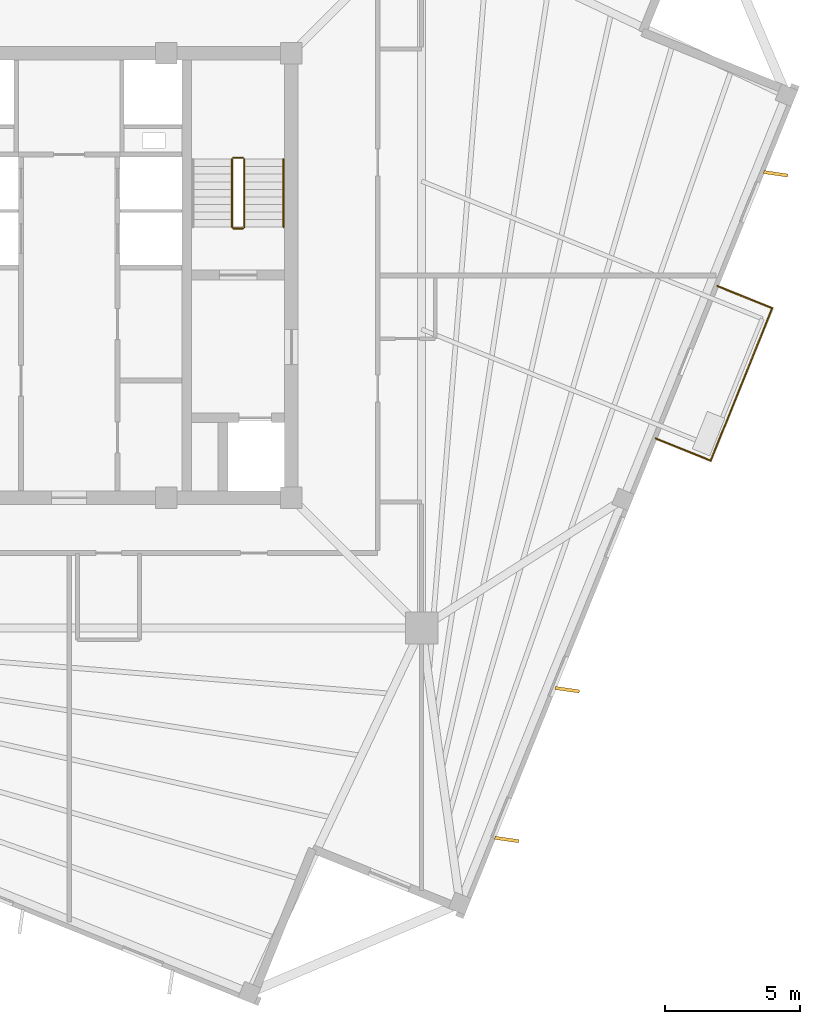
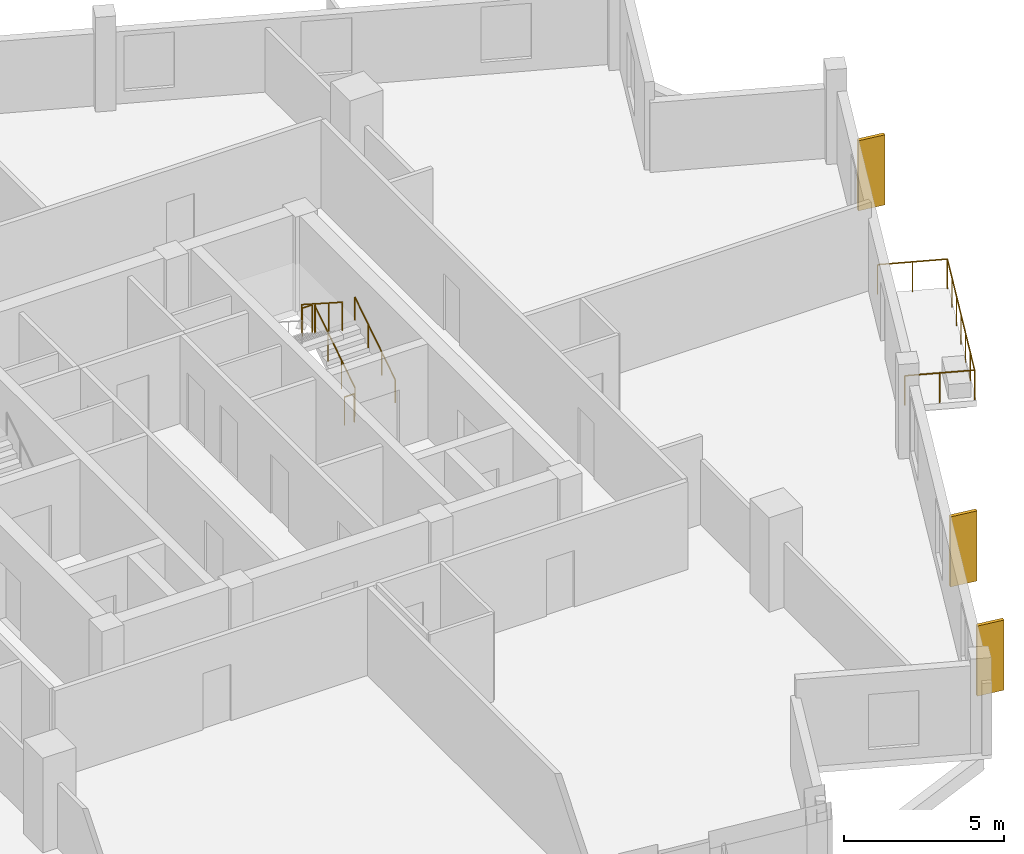
# One storey, part 7 of 8: 8 railings, 3 coverings.
"""IFC4 building model written with IfcOpenShell, lengths in metres."""

import ifcopenshell
import ifcopenshell.guid

model = None  # the IFC model being written
_history = None  # IfcOwnerHistory: only IFC2X3 demands one
_inside = {}  # id of a spatial element -> (the spatial element, [elements in it])
_under = {}  # id of a project, library or spatial element -> (it, [spatial elements below it])
_declared = {}  # id of a project -> (the project, [libraries it declares])
_typed = {}  # id of a type object -> (the type object, [elements of that type])
_made_of = {}  # id of a material, layer set ... -> (it, [elements and type objects made of it])


def new_model(schema):
    """Start an empty IFC model of exactly this schema.

    Asked for "IFC4X3", IfcOpenShell would pick the latest addendum, in which some entities
    have other attributes; the version numbers below select the first issue.
    IFC2X3 requires an IfcOwnerHistory on every rooted entity: one is made here for all.
    """
    global model, _history
    if schema == "IFC4X3":
        model = ifcopenshell.file(schema_version=(4, 3, 0, 0))
    else:
        model = ifcopenshell.file(schema=schema)
    _inside.clear()
    _under.clear()
    _declared.clear()
    _typed.clear()
    _made_of.clear()
    _history = None
    if model.schema == "IFC2X3":
        org = make("IfcOrganization", Name="unknown")
        user = make(
            "IfcPersonAndOrganization",
            ThePerson=make("IfcPerson", FamilyName="unknown"),
            TheOrganization=org,
        )
        app = make(
            "IfcApplication",
            ApplicationDeveloper=org,
            Version="unknown",
            ApplicationFullName="unknown",
            ApplicationIdentifier="unknown",
        )
        _history = make(
            "IfcOwnerHistory",
            OwningUser=user,
            OwningApplication=app,
            ChangeAction="ADDED",
            CreationDate=0,
        )
    return model


def make(cls, **values):
    """One entity of the class cls with the attributes given. An attribute that is None is left unset."""
    return model.create_entity(
        cls, **{name: value for name, value in values.items() if value is not None}
    )


def rooted(cls, **values):
    """An entity with a GlobalId (a new one), such as an element, a storey or a relation."""
    return make(cls, GlobalId=ifcopenshell.guid.new(), OwnerHistory=_history, **values)


def si_unit(unit_type, name, prefix=None):
    """IfcSIUnit, for example si_unit("LENGTHUNIT", "METRE", prefix="MILLI")."""
    return make("IfcSIUnit", UnitType=unit_type, Prefix=prefix, Name=name)


def assignment(units):
    """IfcUnitAssignment: the units of a project."""
    return None if units is None else make("IfcUnitAssignment", Units=units)


def point(xyz):
    """IfcCartesianPoint."""
    return None if xyz is None else make("IfcCartesianPoint", Coordinates=xyz)


def direction(xyz):
    """IfcDirection."""
    return None if xyz is None else make("IfcDirection", DirectionRatios=xyz)


def frame(location, z_axis=None, x_axis=None):
    """IfcAxis2Placement3D, a coordinate frame: its origin and axes. An axis left out is left unset."""
    return make(
        "IfcAxis2Placement3D",
        Location=point(location),
        Axis=direction(z_axis),
        RefDirection=direction(x_axis),
    )


def frame_2d(location, x_axis=None):
    """IfcAxis2Placement2D, a coordinate frame in the plane: its origin and x axis."""
    return make(
        "IfcAxis2Placement2D", Location=point(location), RefDirection=direction(x_axis)
    )


def origin():
    """The frame at (0, 0, 0) with its axes left unset."""
    return frame((0.0, 0.0, 0.0))


def origin_2d():
    """The frame at (0, 0) in the plane with its x axis left unset."""
    return frame_2d((0.0, 0.0))


def place(relative_to, where):
    """IfcLocalPlacement: puts the frame where relative to a parent placement (None: the world)."""
    return make(
        "IfcLocalPlacement", PlacementRelTo=relative_to, RelativePlacement=where
    )


def context(
    kind, dimensions, precision=None, world=None, true_north=None, identifier=None
):
    """IfcGeometricRepresentationContext, for example the 3D "Model" context."""
    return make(
        "IfcGeometricRepresentationContext",
        ContextIdentifier=identifier,
        ContextType=kind,
        CoordinateSpaceDimension=dimensions,
        Precision=precision,
        WorldCoordinateSystem=world,
        TrueNorth=true_north,
    )


def subcontext(parent, identifier, kind, view, scale=None):
    """IfcGeometricRepresentationSubContext, for example "Body" below "Model"."""
    return make(
        "IfcGeometricRepresentationSubContext",
        ContextIdentifier=identifier,
        ContextType=kind,
        ParentContext=parent,
        TargetScale=scale,
        TargetView=view,
    )


def project(units=None, contexts=None):
    """IfcProject with its units and contexts."""
    return rooted(
        "IfcProject",
        Name="project",
        RepresentationContexts=contexts,
        UnitsInContext=assignment(units),
    )


def spatial(cls, under=None, at=None, **own):
    """A site, building, storey or space (cls), placed at a placement, below another one or the project."""
    s = rooted(cls, ObjectPlacement=at, **own)
    if under is not None:
        _under.setdefault(under.id(), (under, []))[1].append(s)
    return s


def profile(cls, at=None, kind="AREA", **sizes):
    """A parametric profile (cls). Its sizes go by their IFC names, for example OverallWidth=200.0."""
    return make(cls, ProfileType=kind, Position=at, **sizes)


def rectangle(**sizes):
    """IfcRectangleProfileDef."""
    return profile("IfcRectangleProfileDef", **sizes)


def circle(**sizes):
    """IfcCircleProfileDef."""
    return profile("IfcCircleProfileDef", **sizes)


def extrude(swept, where, along, depth):
    """IfcExtrudedAreaSolid: the profile swept, set in the frame where, extruded along a direction by depth."""
    return make(
        "IfcExtrudedAreaSolid",
        SweptArea=swept,
        Position=where,
        ExtrudedDirection=direction(along),
        Depth=depth,
    )


def shape(context_of_items, identifier, shape_type, items):
    """IfcShapeRepresentation: the items that make up one representation, for example the "Body"."""
    return make(
        "IfcShapeRepresentation",
        ContextOfItems=context_of_items,
        RepresentationIdentifier=identifier,
        RepresentationType=shape_type,
        Items=items,
    )


def source(mapping_origin, context_of_items, identifier, shape_type, items):
    """IfcRepresentationMap: a shape defined once, which mapped items show again and again."""
    return make(
        "IfcRepresentationMap",
        MappingOrigin=mapping_origin,
        MappedRepresentation=shape(context_of_items, identifier, shape_type, items),
    )


def transform(
    local_origin,
    x_axis=None,
    y_axis=None,
    z_axis=None,
    scale=None,
    scale2=None,
    scale3=None,
    uniform=True,
):
    """IfcCartesianTransformationOperator3D, or its non-uniform kind. x_axis, y_axis, z_axis: its Axis1, 2, 3."""
    if uniform:
        return make(
            "IfcCartesianTransformationOperator3D",
            Axis1=direction(x_axis),
            Axis2=direction(y_axis),
            LocalOrigin=point(local_origin),
            Scale=scale,
            Axis3=direction(z_axis),
        )
    return make(
        "IfcCartesianTransformationOperator3DnonUniform",
        Axis1=direction(x_axis),
        Axis2=direction(y_axis),
        LocalOrigin=point(local_origin),
        Scale=scale,
        Axis3=direction(z_axis),
        Scale2=scale2,
        Scale3=scale3,
    )


def mapped(mapping_source, mapping_target):
    """IfcMappedItem: shows the shape of a source again, moved by a transform."""
    return make(
        "IfcMappedItem", MappingSource=mapping_source, MappingTarget=mapping_target
    )


def material(Name=None, Category=None):
    """IfcMaterial."""
    return make("IfcMaterial", Name=Name, Category=Category)


def layer(
    of_material, thickness, ventilated=None, Name=None, Category=None, Priority=None
):
    """IfcMaterialLayer: one layer of a wall or slab, of a material (None: an air gap)."""
    return make(
        "IfcMaterialLayer",
        Material=of_material,
        LayerThickness=thickness,
        IsVentilated=ventilated,
        Name=Name,
        Category=Category,
        Priority=Priority,
    )


def layer_set(layers, Name=None):
    """IfcMaterialLayerSet."""
    return make("IfcMaterialLayerSet", MaterialLayers=layers, LayerSetName=Name)


def made_of(thing, what):
    """Note that an element or type object is made of a material, layer set ...; save() writes the relation."""
    if what is not None:
        _made_of.setdefault(what.id(), (what, []))[1].append(thing)
    return thing


def type_object(cls, material=None, **own):
    """A type object (cls), such as IfcWallType, which elements share."""
    return made_of(rooted(cls, **own), material)


def element(
    cls,
    number,
    at=None,
    inside=None,
    cuts=None,
    type_object=None,
    material=None,
    context=None,
    identifier="Body",
    shape_type=None,
    held_by="IfcProductDefinitionShape",
    body=None,
    shapes=None,
    **own,
):
    """One element of the class cls, such as IfcWall. Its Tag is "e" and its number.

    at: its placement. inside: the storey or other place that contains it. cuts: it is an
    opening in that element (IfcRelVoidsElement). A single representation is given by context,
    identifier, shape_type and body (its items); several are given by shapes. held_by: the class
    of the entity that holds the representations. save() writes the other relations.
    """
    e = rooted(cls, Tag="e%d" % number, ObjectPlacement=at, **own)
    if body is not None:
        shapes = [shape(context, identifier, shape_type, body)]
    if shapes is not None:
        e.Representation = make(held_by, Representations=shapes)
    if inside is not None:
        _inside.setdefault(inside.id(), (inside, []))[1].append(e)
    if cuts is not None:
        rooted(
            "IfcRelVoidsElement", RelatingBuildingElement=cuts, RelatedOpeningElement=e
        )
    if type_object is not None:
        _typed.setdefault(type_object.id(), (type_object, []))[1].append(e)
    return made_of(e, material)


def aggregate(whole, parts):
    """IfcRelAggregates: a whole, such as a stair, and the parts it consists of."""
    return rooted("IfcRelAggregates", RelatingObject=whole, RelatedObjects=parts)


def save(model, path):
    """Write the relations noted so far, then the file.

    IfcRelAggregates (storeys below a building ...), IfcRelContainedInSpatialStructure (elements
    in a storey), IfcRelDefinesByType, IfcRelAssociatesMaterial and IfcRelDeclares: one each for
    every whole, place, type object, material and project.
    """
    for whole, parts in _under.values():
        aggregate(whole, parts)
    for where, things in _inside.values():
        rooted(
            "IfcRelContainedInSpatialStructure",
            RelatedElements=things,
            RelatingStructure=where,
        )
    for kind, things in _typed.values():
        rooted("IfcRelDefinesByType", RelatedObjects=things, RelatingType=kind)
    for what, things in _made_of.values():
        rooted("IfcRelAssociatesMaterial", RelatedObjects=things, RelatingMaterial=what)
    for by, libraries in _declared.values():
        rooted("IfcRelDeclares", RelatingContext=by, RelatedDefinitions=libraries)
    model.write(path)


model = new_model("IFC4")

# Units and contexts
model_context = context("Model", 3, precision=1e-05, world=origin(), true_north=direction((0.0, 1.0)))
body_context = subcontext(model_context, "Body", "Model", "MODEL_VIEW")
ifc_project = project(units=[si_unit("LENGTHUNIT", "METRE"), si_unit("AREAUNIT", "SQUARE_METRE"), si_unit("VOLUMEUNIT", "CUBIC_METRE"), si_unit("PLANEANGLEUNIT", "RADIAN"), si_unit("MASSUNIT", "GRAM", prefix="KILO"), si_unit("THERMODYNAMICTEMPERATUREUNIT", "KELVIN")], contexts=[model_context])

# Site, building, storey
site_placement = place(None, origin())
site = spatial("IfcSite", under=ifc_project, at=site_placement, CompositionType="ELEMENT")
building_placement = place(site_placement, origin())
building = spatial("IfcBuilding", under=site, at=building_placement, Name="Kosmvard Interchange Tower", CompositionType="ELEMENT")
storey_placement = place(building_placement, frame((0.0, 0.0, 290.39990234375)))
storey = spatial("IfcBuildingStorey", under=building, at=storey_placement, Name="L71", CompositionType="ELEMENT", Elevation=290.39990234375)

# Railings
ifc_material_1 = material(Name="Steel S355", Category="steel")
railing_type_1 = type_object("IfcRailingType", Name="Observation & Balcony Glass-Infill Balustrade 1150", PredefinedType="BALUSTRADE", material=ifc_material_1)
shared_shape_1 = source(origin(), body_context, "Body", "SweptSolid", [
    extrude(circle(Radius=0.02392578125, at=origin_2d()), frame((0.0, 0.0, 1.1259765625), z_axis=(-0.927208487558, 0.374545618852, 0.0), x_axis=(-0.374545618852, -0.927208487558, 0.0)), (0.0, 0.0, 1.0), 2.199951171875),
    extrude(circle(Radius=0.02099609375, at=origin_2d()), origin(), (0.0, 0.0, 1.0), 1.101806640625),
    extrude(circle(Radius=0.02099609375, at=origin_2d()), frame((-1.02001953125, 0.412109375, 0.0)), (0.0, 0.0, 1.0), 1.101806640625),
    extrude(circle(Radius=0.02099609375, at=origin_2d()), frame((-2.039794921875, 0.823974609375, 0.0)), (0.0, 0.0, 1.0), 1.101806640625),
])
railing_1_placement = place(storey_placement, frame((26.095458984375, -1.2138671875, 0.0)))
element("IfcRailing", 1, at=railing_1_placement, inside=storey, type_object=railing_type_1, Name="L71 Outdoor Terrace Guard BAL-L71-SW-C", PredefinedType="BALUSTRADE", context=body_context, shape_type="MappedRepresentation", body=[
    mapped(shared_shape_1, transform((0.0, 0.0, 0.0), scale=1.0)),
])
shared_shape_2 = source(origin(), body_context, "Body", "SweptSolid", [
    extrude(circle(Radius=0.02392578125, at=origin_2d()), frame((0.0, 0.0, 1.1259765625), z_axis=(0.927208487558, -0.374545618852, 0.0), x_axis=(0.374545618852, 0.927208487558, 0.0)), (0.0, 0.0, 1.0), 2.199951171875),
    extrude(circle(Radius=0.02099609375, at=origin_2d()), origin(), (0.0, 0.0, 1.0), 1.101806640625),
    extrude(circle(Radius=0.02099609375, at=origin_2d()), frame((1.02001953125, -0.412109375, 0.0)), (0.0, 0.0, 1.0), 1.101806640625),
    extrude(circle(Radius=0.02099609375, at=origin_2d()), frame((2.039794921875, -0.823974609375, 0.0)), (0.0, 0.0, 1.0), 1.101806640625),
])
railing_2_placement = place(storey_placement, frame((21.7705078125, -6.045654296875, 0.0)))
element("IfcRailing", 2, at=railing_2_placement, inside=storey, type_object=railing_type_1, Name="L71 Outdoor Terrace Guard BAL-L71-SW-A", PredefinedType="BALUSTRADE", context=body_context, shape_type="MappedRepresentation", body=[
    mapped(shared_shape_2, transform((0.0, 0.0, 0.0), scale=1.0)),
])

# Coverings
ifc_material_2 = material(Name="Architectural anodised aluminium", Category="aluminium")
ifc_layer = layer(ifc_material_2, 0.1201171875, Name="Architectural anodised aluminium")
ifc_layer_set = layer_set([ifc_layer], Name="Architectural anodised aluminium")
covering_type = type_object("IfcCoveringType", Name="Rotating Vertical Sun-Breaker Fin 900x120 Aluminium", PredefinedType="CLADDING", material=ifc_layer_set)
shared_shape_3 = source(origin(), body_context, "Body", "SweptSolid", [
    extrude(rectangle(XDim=0.89990234375, YDim=0.1201171875, at=origin_2d()), origin(), (0.0, 0.0, 1.0), 2.669921875),
])
for number, where, z_axis, x_axis, name in (
    (3, (16.2412109375, -20.932373046875, 0.0400390625), (0.0, 0.0, 1.0), (0.98965138682, -0.143492621991, 0.0), "L71 Rotating Vertical Sun-Breaker Fin 01"),
    (4, (18.4873046875, -15.373046875, 0.0400390625), (0.0, 0.0, 1.0), (0.98965138682, -0.143492621991, 0.0), "L71 Rotating Vertical Sun-Breaker Fin 02"),
    (5, (26.223876953125, 3.775390625, 0.0400390625), (0.0, 0.0, 1.0), (0.98965138682, -0.143492621991, 0.0), "L71 Rotating Vertical Sun-Breaker Fin 03"),
):
    element("IfcCovering", number, at=place(storey_placement, frame(where, z_axis=z_axis, x_axis=x_axis)), inside=storey, type_object=covering_type, Name=name, PredefinedType="CLADDING", context=body_context, shape_type="MappedRepresentation", body=[
        mapped(shared_shape_3, transform((0.0, 0.0, 0.0), scale=1.0)),
    ])

# Railings
shared_shape_4 = source(origin(), body_context, "Body", "SweptSolid", [
    extrude(circle(Radius=0.02392578125, at=origin_2d()), frame((0.0, 0.0, 1.1259765625), z_axis=(0.374617894384, 0.927179288599, 0.0), x_axis=(-0.927179288599, 0.374617894384, 0.0)), (0.0, 0.0, 1.0), 6.099853515625),
    extrude(circle(Radius=0.02099609375, at=origin_2d()), origin(), (0.0, 0.0, 1.0), 1.101806640625),
    extrude(circle(Radius=0.02099609375, at=origin_2d()), frame((0.380859375, 0.942626953125, 0.0)), (0.0, 0.0, 1.0), 1.101806640625),
    extrude(circle(Radius=0.02099609375, at=origin_2d()), frame((0.76171875, 1.88525390625, 0.0)), (0.0, 0.0, 1.0), 1.101806640625),
    extrude(circle(Radius=0.02099609375, at=origin_2d()), frame((1.142578125, 2.827880859375, 0.0)), (0.0, 0.0, 1.0), 1.101806640625),
    extrude(circle(Radius=0.02099609375, at=origin_2d()), frame((1.5234375, 3.7705078125, 0.0)), (0.0, 0.0, 1.0), 1.101806640625),
    extrude(circle(Radius=0.02099609375, at=origin_2d()), frame((1.904296875, 4.713134765625, 0.0)), (0.0, 0.0, 1.0), 1.101806640625),
    extrude(circle(Radius=0.02099609375, at=origin_2d()), frame((2.28515625, 5.65576171875, 0.0)), (0.0, 0.0, 1.0), 1.101806640625),
])
railing_3_placement = place(storey_placement, frame((23.810302734375, -6.86962890625, 0.0)))
element("IfcRailing", 6, at=railing_3_placement, inside=storey, type_object=railing_type_1, Name="L71 Outdoor Terrace Guard BAL-L71-SW-B", PredefinedType="BALUSTRADE", context=body_context, shape_type="MappedRepresentation", body=[
    mapped(shared_shape_4, transform((0.0, 0.0, 0.0), scale=1.0)),
])
railing_type_2 = type_object("IfcRailingType", Name="Stair & Terrace Safety Guardrail 1100 Steel", PredefinedType="GUARDRAIL", material=ifc_material_1)
shared_shape_5 = source(origin(), body_context, "Body", "SweptSolid", [
    extrude(circle(Radius=0.02392578125, at=origin_2d()), frame((0.0, 0.0, 1.076171875), z_axis=(-1.0, 0.0, 0.0), x_axis=(0.0, -1.0, 0.0)), (0.0, 0.0, 1.0), 0.35986328125),
    extrude(circle(Radius=0.02099609375, at=origin_2d()), origin(), (0.0, 0.0, 1.0), 1.052001953125),
    extrude(circle(Radius=0.02099609375, at=origin_2d()), frame((-0.35986328125, 0.0, 0.0)), (0.0, 0.0, 1.0), 1.052001953125),
])
for number, where, name in (
    (7, (6.449951171875, 4.3701171875, 1.800048828125), "L71 ST-2 stair guard 2"),
    (8, (6.449951171875, 1.75, 0.0), "L71 ST-2 stair guard 4"),
):
    element("IfcRailing", number, at=place(storey_placement, frame(where)), inside=storey, type_object=railing_type_2, Name=name, PredefinedType="GUARDRAIL", context=body_context, shape_type="MappedRepresentation", body=[
        mapped(shared_shape_5, transform((0.0, 0.0, 0.0), scale=1.0)),
    ])
shared_shape_6 = source(origin(), body_context, "Body", "SweptSolid", [
    extrude(circle(Radius=0.02392578125, at=origin_2d()), frame((0.0, 0.0, 1.076171875), z_axis=(0.0, -0.841162588446, 0.540782303519), x_axis=(1.0, 0.0, 0.0)), (0.0, 0.0, 1.0), 2.995849609375),
    extrude(circle(Radius=0.02099609375, at=origin_2d()), origin(), (0.0, 0.0, 1.0), 1.052001953125),
    extrude(circle(Radius=0.02099609375, at=origin_2d()), frame((0.0, -0.840087890625, 0.5400390625)), (0.0, 0.0, 1.0), 1.052001953125),
    extrude(circle(Radius=0.02099609375, at=origin_2d()), frame((0.0, -1.679931640625, 1.080078125)), (0.0, 0.0, 1.0), 1.052001953125),
    extrude(circle(Radius=0.02099609375, at=origin_2d()), frame((0.0, -2.52001953125, 1.6201171875)), (0.0, 0.0, 1.0), 1.052001953125),
])
railing_4_placement = place(storey_placement, frame((6.0400390625, 4.320068359375, 1.97998046875)))
element("IfcRailing", 9, at=railing_4_placement, inside=storey, type_object=railing_type_2, Name="L71 ST-2 stair guard 3", PredefinedType="GUARDRAIL", context=body_context, shape_type="MappedRepresentation", body=[
    mapped(shared_shape_6, transform((0.0, 0.0, 0.0), scale=1.0)),
])
shared_shape_7 = source(origin(), body_context, "Body", "SweptSolid", [
    extrude(circle(Radius=0.02392578125, at=origin_2d()), frame((0.0, 0.0, 1.076171875), z_axis=(0.0, 0.841199657755, 0.540724639528), x_axis=(-1.0, 0.0, 0.0)), (0.0, 0.0, 1.0), 2.995849609375),
    extrude(circle(Radius=0.02099609375, at=origin_2d()), origin(), (0.0, 0.0, 1.0), 1.052001953125),
    extrude(circle(Radius=0.02099609375, at=origin_2d()), frame((0.0, 0.840087890625, 0.5400390625)), (0.0, 0.0, 1.0), 1.052001953125),
    extrude(circle(Radius=0.02099609375, at=origin_2d()), frame((0.0, 1.679931640625, 1.079833984375)), (0.0, 0.0, 1.0), 1.052001953125),
    extrude(circle(Radius=0.02099609375, at=origin_2d()), frame((0.0, 2.52001953125, 1.619873046875)), (0.0, 0.0, 1.0), 1.052001953125),
])
railing_5_placement = place(storey_placement, frame((6.5, 1.800048828125, 0.18017578125)))
element("IfcRailing", 10, at=railing_5_placement, inside=storey, type_object=railing_type_2, Name="L71 ST-2 stair guard 1", PredefinedType="GUARDRAIL", context=body_context, shape_type="MappedRepresentation", body=[
    mapped(shared_shape_7, transform((0.0, 0.0, 0.0), scale=1.0)),
])
railing_type_3 = type_object("IfcRailingType", Name="Wall-Mounted Stair Handrail 900 Steel", PredefinedType="HANDRAIL", material=ifc_material_1)
shared_shape_8 = source(origin(), body_context, "Body", "SweptSolid", [
    extrude(circle(Radius=0.02392578125, at=origin_2d()), frame((0.0, 0.0, 0.8759765625), z_axis=(0.0, 0.841199657755, 0.540724639528), x_axis=(-1.0, 0.0, 0.0)), (0.0, 0.0, 1.0), 2.995849609375),
    extrude(circle(Radius=0.02099609375, at=origin_2d()), origin(), (0.0, 0.0, 1.0), 0.851806640625),
    extrude(circle(Radius=0.02099609375, at=origin_2d()), frame((0.0, 0.840087890625, 0.5400390625)), (0.0, 0.0, 1.0), 0.851806640625),
    extrude(circle(Radius=0.02099609375, at=origin_2d()), frame((0.0, 1.679931640625, 1.079833984375)), (0.0, 0.0, 1.0), 0.851806640625),
    extrude(circle(Radius=0.02099609375, at=origin_2d()), frame((0.0, 2.52001953125, 1.619873046875)), (0.0, 0.0, 1.0), 0.851806640625),
])
railing_6_placement = place(storey_placement, frame((7.949951171875, 1.800048828125, 0.18017578125)))
element("IfcRailing", 11, at=railing_6_placement, inside=storey, type_object=railing_type_3, Name="L71 ST-2 stair handrail 1", PredefinedType="HANDRAIL", context=body_context, shape_type="MappedRepresentation", body=[
    mapped(shared_shape_8, transform((0.0, 0.0, 0.0), scale=1.0)),
])

save(model, "model.ifc")
